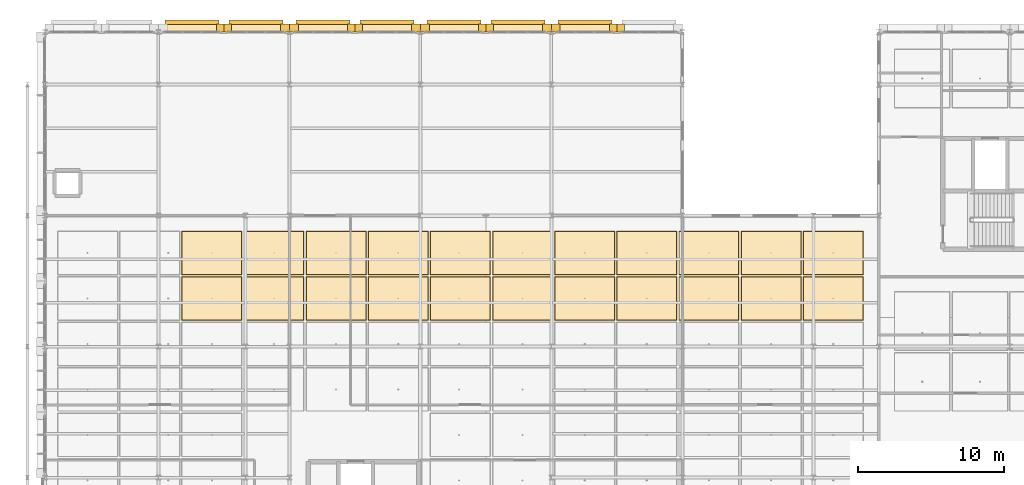
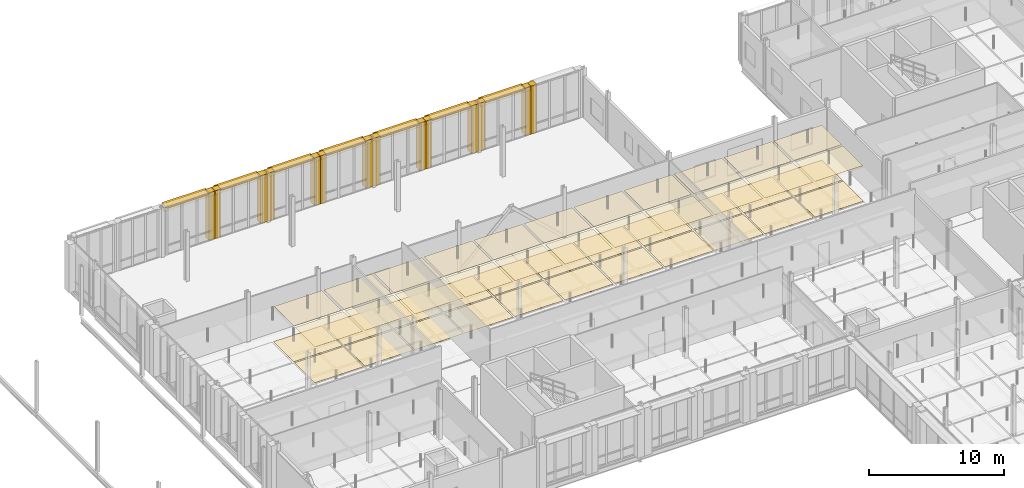
# One storey, part 126 of 130: 65 coverings, 7 shading devices.
"""IFC4 building model written with IfcOpenShell, lengths in metres."""

from ifc_helpers import new_model, si_unit, direction, frame, origin, origin_2d, place, context, subcontext, project, spatial, rectangle, extrude, material, layer, layer_set, type_object, element, save


model = new_model("IFC4")

# Units and contexts
model_context = context("Model", 3, precision=1e-05, world=origin(), true_north=direction((0.0, 1.0)))
body_context = subcontext(model_context, "Body", "Model", "MODEL_VIEW")
ifc_project = project(units=[si_unit("LENGTHUNIT", "METRE"), si_unit("AREAUNIT", "SQUARE_METRE"), si_unit("VOLUMEUNIT", "CUBIC_METRE"), si_unit("PLANEANGLEUNIT", "RADIAN"), si_unit("MASSUNIT", "GRAM", prefix="KILO"), si_unit("THERMODYNAMICTEMPERATUREUNIT", "KELVIN"), si_unit("POWERUNIT", "WATT")], contexts=[model_context])

# Site, building, storey
site_placement = place(None, origin())
site = spatial("IfcSite", under=ifc_project, at=site_placement, CompositionType="ELEMENT")
building_placement = place(site_placement, origin())
building = spatial("IfcBuilding", under=site, at=building_placement, Name="Tallowbark Science Centre", CompositionType="ELEMENT")
storey_placement = place(building_placement, frame((0.0, 0.0, 5.39990234375)))
storey = spatial("IfcBuildingStorey", under=building, at=storey_placement, Name="L01", CompositionType="ELEMENT", Elevation=5.39990234375)

# Coverings
ifc_material_1 = material(Name="Cleanable Vinyl-Faced Laboratory Ceiling Tile")
ifc_layer_1 = layer(ifc_material_1, 0.01611328125)
ifc_layer_set_1 = layer_set([ifc_layer_1], Name="Cleanable Vinyl-Faced Laboratory Ceiling Tile")
covering_type_1 = type_object("IfcCoveringType", Name="CLG-LAB-16", PredefinedType="CEILING", material=ifc_layer_set_1)
for number, where, z_axis, x_axis, name in (
    (1, (66.673095703125, 93.3125, 3.192138671875), (0.0, 0.0, 1.0), (1.0, 0.0, 0.0), "Suspended Ceiling L01-617"),
    (2, (66.673095703125, 96.4375, 3.192138671875), (0.0, 0.0, 1.0), (1.0, 0.0, 0.0), "Suspended Ceiling L01-618"),
    (3, (70.9423828125, 93.3125, 3.192138671875), (0.0, 0.0, 1.0), (1.0, 0.0, 0.0), "Suspended Ceiling L01-621"),
    (4, (70.9423828125, 96.4375, 3.192138671875), (0.0, 0.0, 1.0), (1.0, 0.0, 0.0), "Suspended Ceiling L01-622"),
    (5, (75.21142578125, 93.3125, 3.192138671875), (0.0, 0.0, 1.0), (1.0, 0.0, 0.0), "Suspended Ceiling L01-625"),
    (6, (75.21142578125, 96.4375, 3.192138671875), (0.0, 0.0, 1.0), (1.0, 0.0, 0.0), "Suspended Ceiling L01-626"),
    (7, (79.480712890625, 93.3125, 3.192138671875), (0.0, 0.0, 1.0), (1.0, 0.0, 0.0), "Suspended Ceiling L01-629"),
    (8, (79.480712890625, 96.4375, 3.192138671875), (0.0, 0.0, 1.0), (1.0, 0.0, 0.0), "Suspended Ceiling L01-630"),
    (9, (83.75, 93.3125, 3.192138671875), (0.0, 0.0, 1.0), (1.0, 0.0, 0.0), "Suspended Ceiling L01-637"),
    (10, (83.75, 96.4375, 3.192138671875), (0.0, 0.0, 1.0), (1.0, 0.0, 0.0), "Suspended Ceiling L01-638"),
    (11, (88.019287109375, 93.3125, 3.192138671875), (0.0, 0.0, 1.0), (1.0, 0.0, 0.0), "Suspended Ceiling L01-645"),
    (12, (88.019287109375, 96.4375, 3.192138671875), (0.0, 0.0, 1.0), (1.0, 0.0, 0.0), "Suspended Ceiling L01-646"),
    (13, (92.28857421875, 93.3125, 3.192138671875), (0.0, 0.0, 1.0), (1.0, 0.0, 0.0), "Suspended Ceiling L01-653"),
    (14, (92.28857421875, 96.4375, 3.192138671875), (0.0, 0.0, 1.0), (1.0, 0.0, 0.0), "Suspended Ceiling L01-654"),
    (15, (96.5576171875, 93.3125, 3.192138671875), (0.0, 0.0, 1.0), (1.0, 0.0, 0.0), "Suspended Ceiling L01-661"),
    (16, (96.5576171875, 96.4375, 3.192138671875), (0.0, 0.0, 1.0), (1.0, 0.0, 0.0), "Suspended Ceiling L01-662"),
    (17, (100.826904296875, 93.3125, 3.192138671875), (0.0, 0.0, 1.0), (1.0, 0.0, 0.0), "Suspended Ceiling L01-669"),
    (18, (100.826904296875, 96.4375, 3.192138671875), (0.0, 0.0, 1.0), (1.0, 0.0, 0.0), "Suspended Ceiling L01-670"),
    (19, (105.09619140625, 93.3125, 3.192138671875), (0.0, 0.0, 1.0), (1.0, 0.0, 0.0), "Suspended Ceiling L01-677"),
    (20, (105.09619140625, 96.4375, 3.192138671875), (0.0, 0.0, 1.0), (1.0, 0.0, 0.0), "Suspended Ceiling L01-678"),
    (21, (109.365478515625, 93.3125, 3.192138671875), (0.0, 0.0, 1.0), (1.0, 0.0, 0.0), "Suspended Ceiling L01-685"),
    (22, (109.365478515625, 96.4375, 3.192138671875), (0.0, 0.0, 1.0), (1.0, 0.0, 0.0), "Suspended Ceiling L01-686"),
):
    element("IfcCovering", number, at=place(storey_placement, frame(where, z_axis=z_axis, x_axis=x_axis)), inside=storey, type_object=covering_type_1, Name=name, PredefinedType="CEILING", context=body_context, shape_type="SweptSolid", body=[
        extrude(rectangle(XDim=4.089111328125, YDim=2.945068359375, at=origin_2d()), origin(), (0.0, 0.0, 1.0), 0.01611328125),
    ])
ifc_material_2 = material(Name="White Architectural Precast Concrete Grade N40 (40 MPa)", Category="concrete")
ifc_layer_2 = layer(ifc_material_2, 0.1201171875)
ifc_layer_set_2 = layer_set([ifc_layer_2], Name="White Architectural Precast Concrete Grade N40 (40 MPa)")
covering_type_2 = type_object("IfcCoveringType", Name="COV-PRC-CLAD", PredefinedType="CLADDING", material=ifc_layer_set_2)
covering_1_placement = place(storey_placement, frame((71.695068359375, 111.8798828125, 0.0), z_axis=(0.0, 0.0, 1.0), x_axis=(-1.0, 0.0, 0.0)))
element("IfcCovering", 23, at=covering_1_placement, inside=storey, type_object=covering_type_2, Name="Postmodern Deep Precast Pier CW-L01-051-1", PredefinedType="CLADDING", context=body_context, shape_type="SweptSolid", body=[
    extrude(rectangle(XDim=0.610107421875, YDim=0.56005859375, at=origin_2d()), origin(), (0.0, 0.0, 1.0), 4.320068359375),
])
for number, where, z_axis, x_axis, name in (
    (24, (67.7548828125, 111.8798828125, 0.0), (0.0, 0.0, 1.0), (-1.0, 0.0, 0.0), "Postmodern Deep Precast Pier CW-L01-051-2"),
    (25, (67.2451171875, 111.8798828125, 0.0), (0.0, 0.0, 1.0), (-1.0, 0.0, 0.0), "Postmodern Deep Precast Pier CW-L01-052-1"),
):
    element("IfcCovering", number, at=place(storey_placement, frame(where, z_axis=z_axis, x_axis=x_axis)), inside=storey, type_object=covering_type_2, Name=name, PredefinedType="CLADDING", context=body_context, shape_type="SweptSolid", body=[
        extrude(rectangle(XDim=0.510009765625, YDim=0.56005859375, at=origin_2d()), origin(), (0.0, 0.0, 1.0), 4.320068359375),
    ])
covering_2_placement = place(storey_placement, frame((80.695068359375, 111.8798828125, 0.0), z_axis=(0.0, 0.0, 1.0), x_axis=(-1.0, 0.0, 0.0)))
element("IfcCovering", 26, at=covering_2_placement, inside=storey, type_object=covering_type_2, Name="Postmodern Deep Precast Pier CW-L01-053-1", PredefinedType="CLADDING", context=body_context, shape_type="SweptSolid", body=[
    extrude(rectangle(XDim=0.610107421875, YDim=0.56005859375, at=origin_2d()), origin(), (0.0, 0.0, 1.0), 4.320068359375),
])
for number, where, z_axis, x_axis, name in (
    (27, (76.7548828125, 111.8798828125, 0.0), (0.0, 0.0, 1.0), (-1.0, 0.0, 0.0), "Postmodern Deep Precast Pier CW-L01-053-2"),
    (28, (76.2451171875, 111.8798828125, 0.0), (0.0, 0.0, 1.0), (-1.0, 0.0, 0.0), "Postmodern Deep Precast Pier CW-L01-054-1"),
):
    element("IfcCovering", number, at=place(storey_placement, frame(where, z_axis=z_axis, x_axis=x_axis)), inside=storey, type_object=covering_type_2, Name=name, PredefinedType="CLADDING", context=body_context, shape_type="SweptSolid", body=[
        extrude(rectangle(XDim=0.510009765625, YDim=0.56005859375, at=origin_2d()), origin(), (0.0, 0.0, 1.0), 4.320068359375),
    ])
for number, where, z_axis, x_axis, name in (
    (29, (72.304931640625, 111.8798828125, 0.0), (0.0, 0.0, 1.0), (-1.0, 0.0, 0.0), "Postmodern Deep Precast Pier CW-L01-054-2"),
    (30, (89.695068359375, 111.8798828125, 0.0), (0.0, 0.0, 1.0), (-1.0, 0.0, 0.0), "Postmodern Deep Precast Pier CW-L01-055-1"),
):
    element("IfcCovering", number, at=place(storey_placement, frame(where, z_axis=z_axis, x_axis=x_axis)), inside=storey, type_object=covering_type_2, Name=name, PredefinedType="CLADDING", context=body_context, shape_type="SweptSolid", body=[
        extrude(rectangle(XDim=0.610107421875, YDim=0.56005859375, at=origin_2d()), origin(), (0.0, 0.0, 1.0), 4.320068359375),
    ])
for number, where, z_axis, x_axis, name in (
    (31, (85.7548828125, 111.8798828125, 0.0), (0.0, 0.0, 1.0), (-1.0, 0.0, 0.0), "Postmodern Deep Precast Pier CW-L01-055-2"),
    (32, (85.2451171875, 111.8798828125, 0.0), (0.0, 0.0, 1.0), (-1.0, 0.0, 0.0), "Postmodern Deep Precast Pier CW-L01-056-1"),
):
    element("IfcCovering", number, at=place(storey_placement, frame(where, z_axis=z_axis, x_axis=x_axis)), inside=storey, type_object=covering_type_2, Name=name, PredefinedType="CLADDING", context=body_context, shape_type="SweptSolid", body=[
        extrude(rectangle(XDim=0.510009765625, YDim=0.56005859375, at=origin_2d()), origin(), (0.0, 0.0, 1.0), 4.320068359375),
    ])
covering_3_placement = place(storey_placement, frame((81.304931640625, 111.8798828125, 0.0), z_axis=(0.0, 0.0, 1.0), x_axis=(-1.0, 0.0, 0.0)))
element("IfcCovering", 33, at=covering_3_placement, inside=storey, type_object=covering_type_2, Name="Postmodern Deep Precast Pier CW-L01-056-2", PredefinedType="CLADDING", context=body_context, shape_type="SweptSolid", body=[
    extrude(rectangle(XDim=0.610107421875, YDim=0.56005859375, at=origin_2d()), origin(), (0.0, 0.0, 1.0), 4.320068359375),
])
for number, where, z_axis, x_axis, name in (
    (34, (94.7548828125, 111.8798828125, 0.0), (0.0, 0.0, 1.0), (-1.0, 0.0, 0.0), "Postmodern Deep Precast Pier CW-L01-057-2"),
    (35, (94.2451171875, 111.8798828125, 0.0), (0.0, 0.0, 1.0), (-1.0, 0.0, 0.0), "Postmodern Deep Precast Pier CW-L01-058-1"),
):
    element("IfcCovering", number, at=place(storey_placement, frame(where, z_axis=z_axis, x_axis=x_axis)), inside=storey, type_object=covering_type_2, Name=name, PredefinedType="CLADDING", context=body_context, shape_type="SweptSolid", body=[
        extrude(rectangle(XDim=0.510009765625, YDim=0.56005859375, at=origin_2d()), origin(), (0.0, 0.0, 1.0), 4.320068359375),
    ])
covering_4_placement = place(storey_placement, frame((90.304931640625, 111.8798828125, 0.0), z_axis=(0.0, 0.0, 1.0), x_axis=(-1.0, 0.0, 0.0)))
element("IfcCovering", 36, at=covering_4_placement, inside=storey, type_object=covering_type_2, Name="Postmodern Deep Precast Pier CW-L01-058-2", PredefinedType="CLADDING", context=body_context, shape_type="SweptSolid", body=[
    extrude(rectangle(XDim=0.610107421875, YDim=0.56005859375, at=origin_2d()), origin(), (0.0, 0.0, 1.0), 4.320068359375),
])
ifc_material_3 = material(Name="Vitrified Ochre Terracotta Architectural Rainscreen", Category="masonry")
ifc_layer_3 = layer(ifc_material_3, 0.0380859375)
ifc_layer_set_3 = layer_set([ifc_layer_3], Name="Vitrified Ochre Terracotta Architectural Rainscreen")
covering_type_3 = type_object("IfcCoveringType", Name="COV-TER-CLAD", PredefinedType="CLADDING", material=ifc_layer_set_3)
for number, where, z_axis, x_axis, name in (
    (37, (69.699951171875, 111.860107421875, 3.97021484375), (0.0, 0.0, 1.0), (-1.0, 0.0, 0.0), "Postmodern Terracotta Cornice Band CW-L01-051"),
    (38, (65.300048828125, 111.860107421875, 3.97021484375), (0.0, 0.0, 1.0), (-1.0, 0.0, 0.0), "Postmodern Terracotta Cornice Band CW-L01-052"),
    (39, (78.699951171875, 111.860107421875, 3.97021484375), (0.0, 0.0, 1.0), (-1.0, 0.0, 0.0), "Postmodern Terracotta Cornice Band CW-L01-053"),
    (40, (74.300048828125, 111.860107421875, 3.97021484375), (0.0, 0.0, 1.0), (-1.0, 0.0, 0.0), "Postmodern Terracotta Cornice Band CW-L01-054"),
    (41, (87.699951171875, 111.860107421875, 3.97021484375), (0.0, 0.0, 1.0), (-1.0, 0.0, 0.0), "Postmodern Terracotta Cornice Band CW-L01-055"),
    (42, (83.300048828125, 111.860107421875, 3.97021484375), (0.0, 0.0, 1.0), (-1.0, 0.0, 0.0), "Postmodern Terracotta Cornice Band CW-L01-056"),
    (43, (92.300048828125, 111.860107421875, 3.97021484375), (0.0, 0.0, 1.0), (-1.0, 0.0, 0.0), "Postmodern Terracotta Cornice Band CW-L01-058"),
):
    element("IfcCovering", number, at=place(storey_placement, frame(where, z_axis=z_axis, x_axis=x_axis)), inside=storey, type_object=covering_type_3, Name=name, PredefinedType="CLADDING", context=body_context, shape_type="SweptSolid", body=[
        extrude(rectangle(XDim=4.300048828125, YDim=0.52001953125, at=origin_2d()), origin(), (0.0, 0.0, 1.0), 0.340087890625),
    ])
ifc_material_4 = material(Name="Chemical-Resistant Seamless Laboratory Vinyl")
ifc_layer_4 = layer(ifc_material_4, 0.011962890625)
ifc_layer_set_4 = layer_set([ifc_layer_4], Name="Chemical-Resistant Seamless Laboratory Vinyl")
covering_type_4 = type_object("IfcCoveringType", Name="FLR-VIN-12", PredefinedType="FLOORING", material=ifc_layer_set_4)
for number, where, z_axis, x_axis, name in (
    (44, (66.673095703125, 93.3125, 0.0), (0.0, 0.0, 1.0), (1.0, 0.0, 0.0), "Floor Finish L01-617"),
    (45, (66.673095703125, 96.4375, 0.0), (0.0, 0.0, 1.0), (1.0, 0.0, 0.0), "Floor Finish L01-618"),
    (46, (70.9423828125, 93.3125, 0.0), (0.0, 0.0, 1.0), (1.0, 0.0, 0.0), "Floor Finish L01-621"),
    (47, (70.9423828125, 96.4375, 0.0), (0.0, 0.0, 1.0), (1.0, 0.0, 0.0), "Floor Finish L01-622"),
    (48, (75.21142578125, 93.3125, 0.0), (0.0, 0.0, 1.0), (1.0, 0.0, 0.0), "Floor Finish L01-625"),
    (49, (75.21142578125, 96.4375, 0.0), (0.0, 0.0, 1.0), (1.0, 0.0, 0.0), "Floor Finish L01-626"),
    (50, (79.480712890625, 93.3125, 0.0), (0.0, 0.0, 1.0), (1.0, 0.0, 0.0), "Floor Finish L01-629"),
    (51, (79.480712890625, 96.4375, 0.0), (0.0, 0.0, 1.0), (1.0, 0.0, 0.0), "Floor Finish L01-630"),
    (52, (83.75, 93.3125, 0.0), (0.0, 0.0, 1.0), (1.0, 0.0, 0.0), "Floor Finish L01-637"),
    (53, (83.75, 96.4375, 0.0), (0.0, 0.0, 1.0), (1.0, 0.0, 0.0), "Floor Finish L01-638"),
    (54, (88.019287109375, 93.3125, 0.0), (0.0, 0.0, 1.0), (1.0, 0.0, 0.0), "Floor Finish L01-645"),
    (55, (88.019287109375, 96.4375, 0.0), (0.0, 0.0, 1.0), (1.0, 0.0, 0.0), "Floor Finish L01-646"),
    (56, (92.28857421875, 93.3125, 0.0), (0.0, 0.0, 1.0), (1.0, 0.0, 0.0), "Floor Finish L01-653"),
    (57, (92.28857421875, 96.4375, 0.0), (0.0, 0.0, 1.0), (1.0, 0.0, 0.0), "Floor Finish L01-654"),
    (58, (96.5576171875, 93.3125, 0.0), (0.0, 0.0, 1.0), (1.0, 0.0, 0.0), "Floor Finish L01-661"),
    (59, (96.5576171875, 96.4375, 0.0), (0.0, 0.0, 1.0), (1.0, 0.0, 0.0), "Floor Finish L01-662"),
    (60, (100.826904296875, 93.3125, 0.0), (0.0, 0.0, 1.0), (1.0, 0.0, 0.0), "Floor Finish L01-669"),
    (61, (100.826904296875, 96.4375, 0.0), (0.0, 0.0, 1.0), (1.0, 0.0, 0.0), "Floor Finish L01-670"),
    (62, (105.09619140625, 93.3125, 0.0), (0.0, 0.0, 1.0), (1.0, 0.0, 0.0), "Floor Finish L01-677"),
    (63, (105.09619140625, 96.4375, 0.0), (0.0, 0.0, 1.0), (1.0, 0.0, 0.0), "Floor Finish L01-678"),
    (64, (109.365478515625, 93.3125, 0.0), (0.0, 0.0, 1.0), (1.0, 0.0, 0.0), "Floor Finish L01-685"),
    (65, (109.365478515625, 96.4375, 0.0), (0.0, 0.0, 1.0), (1.0, 0.0, 0.0), "Floor Finish L01-686"),
):
    element("IfcCovering", number, at=place(storey_placement, frame(where, z_axis=z_axis, x_axis=x_axis)), inside=storey, type_object=covering_type_4, Name=name, PredefinedType="FLOORING", context=body_context, shape_type="SweptSolid", body=[
        extrude(rectangle(XDim=4.149169921875, YDim=3.0048828125, at=origin_2d()), origin(), (0.0, 0.0, 1.0), 0.011962890625),
    ])

# Shading devices
ifc_material_5 = material(Name="Terracotta-Anodised Extruded Aluminium Sunshade Blade", Category="masonry")
ifc_layer_5 = layer(ifc_material_5, 0.054931640625)
ifc_layer_set_5 = layer_set([ifc_layer_5], Name="Terracotta-Anodised Extruded Aluminium Sunshade Blade")
shading_device_type = type_object("IfcShadingDeviceType", Name="SHD-LVR-300", PredefinedType="AWNING", material=ifc_layer_set_5)
for number, where, z_axis, x_axis, name in (
    (66, (69.699951171875, 112.02001953125, 4.1328125), (0.0, 0.0, 1.0), (-1.0, 0.0, 0.0), "Horizontal Solar Louvre Hood CW-L01-051"),
    (67, (65.300048828125, 112.02001953125, 4.1328125), (0.0, 0.0, 1.0), (-1.0, 0.0, 0.0), "Horizontal Solar Louvre Hood CW-L01-052"),
    (68, (78.699951171875, 112.02001953125, 4.1328125), (0.0, 0.0, 1.0), (-1.0, 0.0, 0.0), "Horizontal Solar Louvre Hood CW-L01-053"),
    (69, (74.300048828125, 112.02001953125, 4.1328125), (0.0, 0.0, 1.0), (-1.0, 0.0, 0.0), "Horizontal Solar Louvre Hood CW-L01-054"),
    (70, (87.699951171875, 112.02001953125, 4.1328125), (0.0, 0.0, 1.0), (-1.0, 0.0, 0.0), "Horizontal Solar Louvre Hood CW-L01-055"),
    (71, (83.300048828125, 112.02001953125, 4.1328125), (0.0, 0.0, 1.0), (-1.0, 0.0, 0.0), "Horizontal Solar Louvre Hood CW-L01-056"),
    (72, (92.300048828125, 112.02001953125, 4.1328125), (0.0, 0.0, 1.0), (-1.0, 0.0, 0.0), "Horizontal Solar Louvre Hood CW-L01-058"),
):
    element("IfcShadingDevice", number, at=place(storey_placement, frame(where, z_axis=z_axis, x_axis=x_axis)), inside=storey, type_object=shading_device_type, Name=name, PredefinedType="AWNING", context=body_context, shape_type="SweptSolid", body=[
        extrude(rectangle(XDim=3.699951171875, YDim=0.840087890625, at=origin_2d()), origin(), (0.0, 0.0, 1.0), 0.054931640625),
    ])

save(model, "model.ifc")
